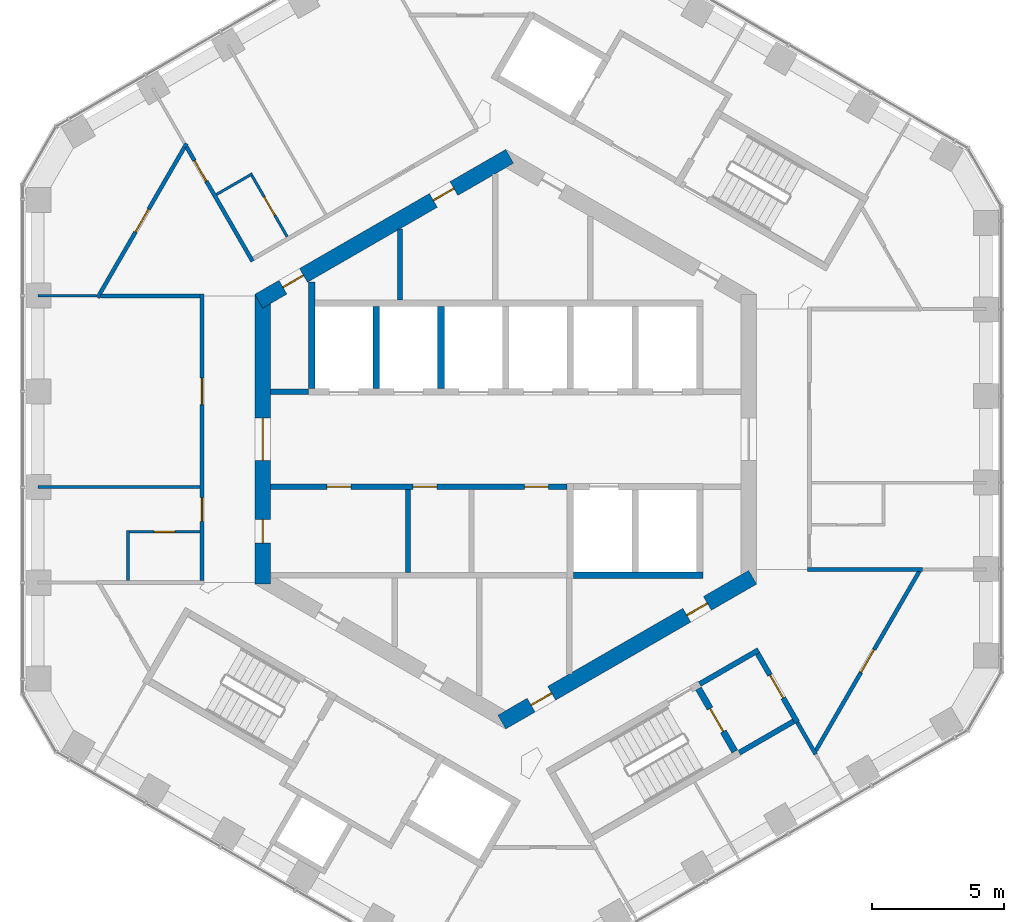
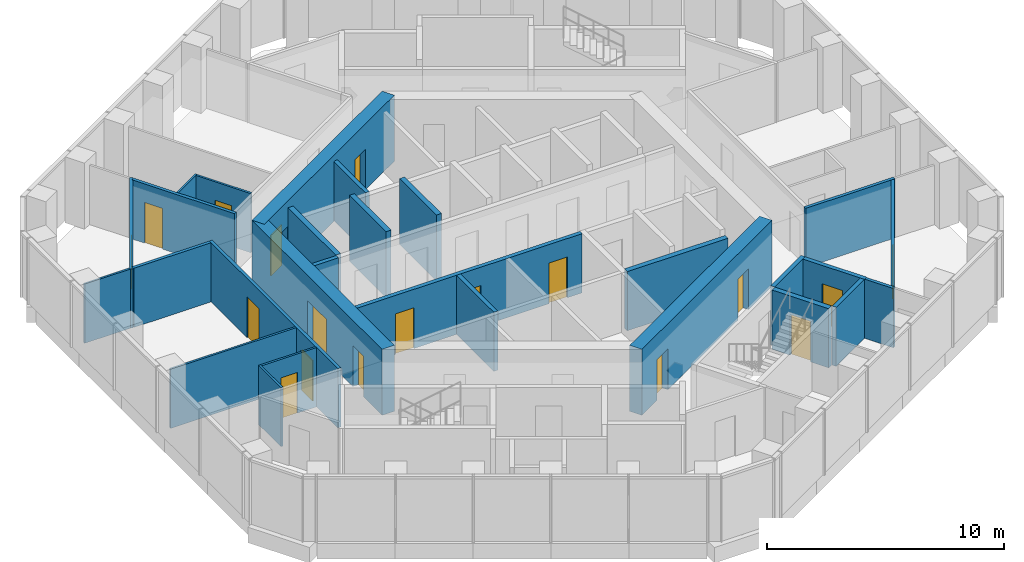
# One storey, part 14 of 18: 28 walls, 18 doors, 18 openings.
"""IFC4 building model written with IfcOpenShell, lengths in metres."""

from ifc_helpers import new_model, si_unit, direction, frame, frame_2d, origin, place, context, subcontext, project, spatial, rectangle, extrude, material, layer, layer_set, type_object, element, fill, save


model = new_model("IFC4")

# Units and contexts
model_context = context("Model", 3, precision=1e-05, world=origin(), true_north=direction((0.0, 1.0)))
body_context = subcontext(model_context, "Body", "Model", "MODEL_VIEW")
ifc_project = project(units=[si_unit("LENGTHUNIT", "METRE"), si_unit("AREAUNIT", "SQUARE_METRE"), si_unit("VOLUMEUNIT", "CUBIC_METRE"), si_unit("PLANEANGLEUNIT", "RADIAN"), si_unit("MASSUNIT", "GRAM", prefix="KILO")], contexts=[model_context])

# Site, building, storey
site_placement = place(None, origin())
site = spatial("IfcSite", under=ifc_project, at=site_placement, CompositionType="ELEMENT")
building_placement = place(site_placement, origin())
building = spatial("IfcBuilding", under=site, at=building_placement, Name="Ayvan Gate Tower", CompositionType="ELEMENT")
storey_placement = place(building_placement, frame((0.0, 0.0, 179.89990234375)))
storey = spatial("IfcBuildingStorey", under=building, at=storey_placement, Name="L48", CompositionType="ELEMENT", Elevation=179.89990234375)

# Wall, openings, doors
ifc_material_1 = material(Name="Concrete C60/75", Category="concrete")
ifc_layer_1 = layer(ifc_material_1, 0.60009765625)
ifc_layer_set_1 = layer_set([ifc_layer_1], Name="Concrete C60/75")
wall_type_1 = type_object("IfcWallType", Name="Core wall 600 C60/75", PredefinedType="SHEAR", material=ifc_layer_set_1)
wall_1_placement = place(storey_placement, frame((0.14990234375, 10.7099609375, 0.0), z_axis=(0.0, 0.0, 1.0), x_axis=(-0.866023993627, -0.500002442456, 0.0)))
wall_1 = element("IfcWall", 1, at=wall_1_placement, inside=storey, type_object=wall_type_1, Name="CORE-L48-2", PredefinedType="SHEAR", context=body_context, shape_type="SweptSolid", body=[
    extrude(rectangle(XDim=10.9697265625, YDim=0.60009765625, at=frame_2d((5.48486328125, 0.0))), origin(), (0.0, 0.0, 1.0), 3.400146484375),
])
opening_1_placement = place(wall_1_placement, frame((9.013427734375, 0.0, 0.0)))
opening_1 = element("IfcOpeningElement", 2, at=opening_1_placement, cuts=wall_1, Name="Opening L48-D42", PredefinedType="OPENING", context=body_context, shape_type="SweptSolid", body=[
    extrude(rectangle(XDim=0.89990234375, YDim=2.10009765625, at=frame_2d((0.449951171875, 1.050048828125))), frame((0.0, 0.31005859375, 0.0), z_axis=(0.0, -1.0, 0.0), x_axis=(1.0, 0.0, 0.0)), (0.0, 0.0, 1.0), 0.6201171875),
])
opening_2_placement = place(wall_1_placement, frame((2.437255859375, 0.0, 0.0)))
opening_2 = element("IfcOpeningElement", 3, at=opening_2_placement, cuts=wall_1, Name="Opening L48-D43", PredefinedType="OPENING", context=body_context, shape_type="SweptSolid", body=[
    extrude(rectangle(XDim=0.89990234375, YDim=2.10009765625, at=frame_2d((0.449951171875, 1.050048828125))), frame((0.0, 0.31005859375, 0.0), z_axis=(0.0, -1.0, 0.0), x_axis=(1.0, 0.0, 0.0)), (0.0, 0.0, 1.0), 0.6201171875),
])
ifc_material_2 = material(Name="Timber door leaf", Category="wood")
door_type_1 = type_object("IfcDoorType", Name="DT-900", OperationType="NOTDEFINED", PredefinedType="DOOR", material=ifc_material_2)
door_1_placement = place(opening_1_placement, origin())
door_1 = element("IfcDoor", 4, at=door_1_placement, inside=storey, type_object=door_type_1, Name="CD-L48-42", OperationType="SINGLE_SWING_RIGHT", OverallHeight=2.10009765625, OverallWidth=0.89990234375, PredefinedType="DOOR", context=body_context, shape_type="SweptSolid", body=[
    extrude(rectangle(XDim=0.89990234375, YDim=2.10009765625, at=frame_2d((0.449951171875, 1.050048828125))), frame((0.0, 0.02490234375, 0.0), z_axis=(0.0, -1.0, 0.0), x_axis=(1.0, 0.0, 0.0)), (0.0, 0.0, 1.0), 0.050048828125),
])
fill(opening_1, door_1)
door_2_placement = place(opening_2_placement, origin())
door_2 = element("IfcDoor", 5, at=door_2_placement, inside=storey, type_object=door_type_1, Name="CD-L48-43", OperationType="SINGLE_SWING_LEFT", OverallHeight=2.10009765625, OverallWidth=0.89990234375, PredefinedType="DOOR", context=body_context, shape_type="SweptSolid", body=[
    extrude(rectangle(XDim=0.89990234375, YDim=2.10009765625, at=frame_2d((0.449951171875, 1.050048828125))), frame((0.0, 0.02490234375, 0.0), z_axis=(0.0, -1.0, 0.0), x_axis=(1.0, 0.0, 0.0)), (0.0, 0.0, 1.0), 0.050048828125),
])
fill(opening_2, door_2)

wall_2_placement = place(storey_placement, frame((-9.199951171875, 5.48486328125, 0.0), z_axis=(0.0, 0.0, 1.0), x_axis=(0.0, -1.0, 0.0)))
wall_2 = element("IfcWall", 6, at=wall_2_placement, inside=storey, type_object=wall_type_1, Name="CORE-L48-3", PredefinedType="SHEAR", context=body_context, shape_type="SweptSolid", body=[
    extrude(rectangle(XDim=10.9697265625, YDim=0.60009765625, at=frame_2d((5.48486328125, 0.0))), origin(), (0.0, 0.0, 1.0), 3.400146484375),
])
opening_3_placement = place(wall_2_placement, frame((8.51611328125, 0.0, 0.0)))
opening_3 = element("IfcOpeningElement", 7, at=opening_3_placement, cuts=wall_2, Name="Opening L48-D50", PredefinedType="OPENING", context=body_context, shape_type="SweptSolid", body=[
    extrude(rectangle(XDim=0.89990234375, YDim=2.10009765625, at=frame_2d((0.449951171875, 1.050048828125))), frame((0.0, 0.31005859375, 0.0), z_axis=(0.0, -1.0, 0.0), x_axis=(1.0, 0.0, 0.0)), (0.0, 0.0, 1.0), 0.6201171875),
])
opening_4_placement = place(wall_2_placement, frame((4.684814453125, 0.0, 0.0)))
opening_4 = element("IfcOpeningElement", 8, at=opening_4_placement, cuts=wall_2, Name="Opening L48-D52", PredefinedType="OPENING", context=body_context, shape_type="SweptSolid", body=[
    extrude(rectangle(XDim=1.60009765625, YDim=2.10009765625, at=frame_2d((0.800048828125, 1.050048828125))), frame((0.0, 0.31005859375, 0.0), z_axis=(0.0, -1.0, 0.0), x_axis=(1.0, 0.0, 0.0)), (0.0, 0.0, 1.0), 0.6201171875),
])
door_type_2 = type_object("IfcDoorType", Name="DT-1600", OperationType="NOTDEFINED", PredefinedType="DOOR", material=ifc_material_2)
door_3_placement = place(opening_4_placement, origin())
door_3 = element("IfcDoor", 9, at=door_3_placement, inside=storey, type_object=door_type_2, Name="CD-L48-52", OperationType="SINGLE_SWING_RIGHT", OverallHeight=2.10009765625, OverallWidth=1.60009765625, PredefinedType="DOOR", context=body_context, shape_type="SweptSolid", body=[
    extrude(rectangle(XDim=1.60009765625, YDim=2.10009765625, at=frame_2d((0.800048828125, 1.050048828125))), frame((0.0, 0.02490234375, 0.0), z_axis=(0.0, -1.0, 0.0), x_axis=(1.0, 0.0, 0.0)), (0.0, 0.0, 1.0), 0.050048828125),
])
fill(opening_4, door_3)
door_4_placement = place(opening_3_placement, origin())
door_4 = element("IfcDoor", 10, at=door_4_placement, inside=storey, type_object=door_type_1, Name="CD-L48-50", OperationType="SINGLE_SWING_RIGHT", OverallHeight=2.10009765625, OverallWidth=0.89990234375, PredefinedType="DOOR", context=body_context, shape_type="SweptSolid", body=[
    extrude(rectangle(XDim=0.89990234375, YDim=2.10009765625, at=frame_2d((0.449951171875, 1.050048828125))), frame((0.0, 0.02490234375, 0.0), z_axis=(0.0, -1.0, 0.0), x_axis=(1.0, 0.0, 0.0)), (0.0, 0.0, 1.0), 0.050048828125),
])
fill(opening_3, door_4)

wall_3_placement = place(storey_placement, frame((-0.14990234375, -10.7099609375, 0.0), z_axis=(0.0, 0.0, 1.0), x_axis=(0.866023993627, 0.500002442456, 0.0)))
wall_3 = element("IfcWall", 11, at=wall_3_placement, inside=storey, type_object=wall_type_1, Name="CORE-L48-5", PredefinedType="SHEAR", context=body_context, shape_type="SweptSolid", body=[
    extrude(rectangle(XDim=10.9697265625, YDim=0.60009765625, at=frame_2d((5.48486328125, 0.0))), origin(), (0.0, 0.0, 1.0), 3.400146484375),
])
opening_5_placement = place(wall_3_placement, frame((1.28271484375, 0.0, 0.0)))
opening_5 = element("IfcOpeningElement", 12, at=opening_5_placement, cuts=wall_3, Name="Opening L48-D48", PredefinedType="OPENING", context=body_context, shape_type="SweptSolid", body=[
    extrude(rectangle(XDim=0.89990234375, YDim=2.10009765625, at=frame_2d((0.449951171875, 1.050048828125))), frame((0.0, 0.31005859375, 0.0), z_axis=(0.0, -1.0, 0.0), x_axis=(1.0, 0.0, 0.0)), (0.0, 0.0, 1.0), 0.6201171875),
])
opening_6_placement = place(wall_3_placement, frame((8.089599609375, 0.0, 0.0)))
opening_6 = element("IfcOpeningElement", 13, at=opening_6_placement, cuts=wall_3, Name="Opening L48-D49", PredefinedType="OPENING", context=body_context, shape_type="SweptSolid", body=[
    extrude(rectangle(XDim=0.89990234375, YDim=2.10009765625, at=frame_2d((0.449951171875, 1.050048828125))), frame((0.0, 0.31005859375, 0.0), z_axis=(0.0, -1.0, 0.0), x_axis=(1.0, 0.0, 0.0)), (0.0, 0.0, 1.0), 0.6201171875),
])
door_5_placement = place(opening_5_placement, origin())
door_5 = element("IfcDoor", 14, at=door_5_placement, inside=storey, type_object=door_type_1, Name="CD-L48-48", OperationType="SINGLE_SWING_RIGHT", OverallHeight=2.10009765625, OverallWidth=0.89990234375, PredefinedType="DOOR", context=body_context, shape_type="SweptSolid", body=[
    extrude(rectangle(XDim=0.89990234375, YDim=2.10009765625, at=frame_2d((0.449951171875, 1.050048828125))), frame((0.0, 0.02490234375, 0.0), z_axis=(0.0, -1.0, 0.0), x_axis=(1.0, 0.0, 0.0)), (0.0, 0.0, 1.0), 0.050048828125),
])
fill(opening_5, door_5)
door_6_placement = place(opening_6_placement, origin())
door_6 = element("IfcDoor", 15, at=door_6_placement, inside=storey, type_object=door_type_1, Name="CD-L48-49", OperationType="SINGLE_SWING_LEFT", OverallHeight=2.10009765625, OverallWidth=0.89990234375, PredefinedType="DOOR", context=body_context, shape_type="SweptSolid", body=[
    extrude(rectangle(XDim=0.89990234375, YDim=2.10009765625, at=frame_2d((0.449951171875, 1.050048828125))), frame((0.0, 0.02490234375, 0.0), z_axis=(0.0, -1.0, 0.0), x_axis=(1.0, 0.0, 0.0)), (0.0, 0.0, 1.0), 0.050048828125),
])
fill(opening_6, door_6)

# Wall, opening, door
ifc_material_3 = material(Name="Plasterboard on steel stud", Category="steel")
ifc_layer_2 = layer(ifc_material_3, 0.14990234375)
ifc_layer_set_2 = layer_set([ifc_layer_2], Name="Plasterboard on steel stud")
wall_type_2 = type_object("IfcWallType", Name="WT-CORR-150", PredefinedType="PARTITIONING", material=ifc_layer_set_2)
wall_4_placement = place(storey_placement, frame((-15.451904296875, 5.3603515625, 0.0), z_axis=(0.0, 0.0, 1.0), x_axis=(0.500013134444, 0.866017820477, 0.0)))
wall_4 = element("IfcWall", 16, at=wall_4_placement, inside=storey, type_object=wall_type_2, Name="IW-L48-001", PredefinedType="PARTITIONING", context=body_context, shape_type="SweptSolid", body=[
    extrude(rectangle(XDim=6.737060546875, YDim=0.14990234375, at=frame_2d((3.36865234375, 0.0))), origin(), (0.0, 0.0, 1.0), 3.050048828125),
])
opening_7_placement = place(wall_4_placement, frame((2.86865234375, 0.0, 0.0)))
opening_7 = element("IfcOpeningElement", 17, at=opening_7_placement, cuts=wall_4, Name="Opening L48-D28", PredefinedType="OPENING", context=body_context, shape_type="SweptSolid", body=[
    extrude(rectangle(XDim=1.0, YDim=2.10009765625, at=frame_2d((0.5, 1.050048828125))), frame((0.0, 0.0849609375, 0.0), z_axis=(0.0, -1.0, 0.0), x_axis=(1.0, 0.0, 0.0)), (0.0, 0.0, 1.0), 0.169921875),
])
door_type_3 = type_object("IfcDoorType", Name="DT-1000", OperationType="NOTDEFINED", PredefinedType="DOOR", material=ifc_material_2)
door_7_placement = place(opening_7_placement, origin())
door_7 = element("IfcDoor", 18, at=door_7_placement, inside=storey, type_object=door_type_3, Name="ID-L48-028", OperationType="SINGLE_SWING_RIGHT", OverallHeight=2.10009765625, OverallWidth=1.0, PredefinedType="DOOR", context=body_context, shape_type="SweptSolid", body=[
    extrude(rectangle(XDim=1.0, YDim=2.10009765625, at=frame_2d((0.5, 1.050048828125))), frame((0.0, 0.02490234375, 0.0), z_axis=(0.0, -1.0, 0.0), x_axis=(1.0, 0.0, 0.0)), (0.0, 0.0, 1.0), 0.050048828125),
])
fill(opening_7, door_7)

wall_5_placement = place(storey_placement, frame((-12.083251953125, 11.06494140625, 0.0), z_axis=(0.0, 0.0, 1.0), x_axis=(0.500031047477, -0.866007477773, 0.0)))
wall_5 = element("IfcWall", 19, at=wall_5_placement, inside=storey, type_object=wall_type_2, Name="IW-L48-009", PredefinedType="PARTITIONING", context=body_context, shape_type="SweptSolid", body=[
    extrude(rectangle(XDim=4.999267578125, YDim=0.14990234375, at=frame_2d((2.49951171875, 0.0))), origin(), (0.0, 0.0, 1.0), 3.050048828125),
])
opening_8_placement = place(wall_5_placement, frame((0.59716796875, 0.0, 0.0)))
opening_8 = element("IfcOpeningElement", 20, at=opening_8_placement, cuts=wall_5, Name="Opening L48-D40", PredefinedType="OPENING", context=body_context, shape_type="SweptSolid", body=[
    extrude(rectangle(XDim=0.89990234375, YDim=2.10009765625, at=frame_2d((0.449951171875, 1.050048828125))), frame((0.0, 0.0849609375, 0.0), z_axis=(0.0, -1.0, 0.0), x_axis=(1.0, 0.0, 0.0)), (0.0, 0.0, 1.0), 0.169921875),
])
door_8_placement = place(opening_8_placement, origin())
door_8 = element("IfcDoor", 21, at=door_8_placement, inside=storey, type_object=door_type_1, Name="ID-L48-040", OperationType="SINGLE_SWING_RIGHT", OverallHeight=2.10009765625, OverallWidth=0.89990234375, PredefinedType="DOOR", context=body_context, shape_type="SweptSolid", body=[
    extrude(rectangle(XDim=0.89990234375, YDim=2.10009765625, at=frame_2d((0.449951171875, 1.050048828125))), frame((0.0, 0.02490234375, 0.0), z_axis=(0.0, -1.0, 0.0), x_axis=(1.0, 0.0, 0.0)), (0.0, 0.0, 1.0), 0.050048828125),
])
fill(opening_8, door_8)

# Wall, openings, doors
wall_6_placement = place(storey_placement, frame((-11.5, -5.35009765625, 0.0), z_axis=(0.0, 0.0, 1.0), x_axis=(0.0, 1.0, 0.0)))
wall_6 = element("IfcWall", 22, at=wall_6_placement, inside=storey, type_object=wall_type_2, Name="IW-L48-011", PredefinedType="PARTITIONING", context=body_context, shape_type="SweptSolid", body=[
    extrude(rectangle(XDim=10.850341796875, YDim=0.14990234375, at=frame_2d((5.42529296875, 0.0))), origin(), (0.0, 0.0, 1.0), 3.050048828125),
])
opening_9_placement = place(wall_6_placement, frame((6.65869140625, 0.0, 0.0)))
opening_9 = element("IfcOpeningElement", 23, at=opening_9_placement, cuts=wall_6, Name="Opening L48-D29", PredefinedType="OPENING", context=body_context, shape_type="SweptSolid", body=[
    extrude(rectangle(XDim=1.0, YDim=2.10009765625, at=frame_2d((0.5, 1.050048828125))), frame((0.0, 0.0849609375, 0.0), z_axis=(0.0, -1.0, 0.0), x_axis=(1.0, 0.0, 0.0)), (0.0, 0.0, 1.0), 0.169921875),
])
opening_10_placement = place(wall_6_placement, frame((2.24169921875, 0.0, 0.0)))
opening_10 = element("IfcOpeningElement", 24, at=opening_10_placement, cuts=wall_6, Name="Opening L48-D30", PredefinedType="OPENING", context=body_context, shape_type="SweptSolid", body=[
    extrude(rectangle(XDim=0.89990234375, YDim=2.10009765625, at=frame_2d((0.449951171875, 1.050048828125))), frame((0.0, 0.0849609375, 0.0), z_axis=(0.0, -1.0, 0.0), x_axis=(1.0, 0.0, 0.0)), (0.0, 0.0, 1.0), 0.169921875),
])
door_9_placement = place(opening_9_placement, origin())
door_9 = element("IfcDoor", 25, at=door_9_placement, inside=storey, type_object=door_type_3, Name="ID-L48-029", OperationType="SINGLE_SWING_LEFT", OverallHeight=2.10009765625, OverallWidth=1.0, PredefinedType="DOOR", context=body_context, shape_type="SweptSolid", body=[
    extrude(rectangle(XDim=1.0, YDim=2.10009765625, at=frame_2d((0.5, 1.050048828125))), frame((0.0, 0.02490234375, 0.0), z_axis=(0.0, -1.0, 0.0), x_axis=(1.0, 0.0, 0.0)), (0.0, 0.0, 1.0), 0.050048828125),
])
fill(opening_9, door_9)
door_10_placement = place(opening_10_placement, origin())
door_10 = element("IfcDoor", 26, at=door_10_placement, inside=storey, type_object=door_type_1, Name="ID-L48-030", OperationType="SINGLE_SWING_RIGHT", OverallHeight=2.10009765625, OverallWidth=0.89990234375, PredefinedType="DOOR", context=body_context, shape_type="SweptSolid", body=[
    extrude(rectangle(XDim=0.89990234375, YDim=2.10009765625, at=frame_2d((0.449951171875, 1.050048828125))), frame((0.0, 0.02490234375, 0.0), z_axis=(0.0, -1.0, 0.0), x_axis=(1.0, 0.0, 0.0)), (0.0, 0.0, 1.0), 0.050048828125),
])
fill(opening_10, door_10)

# Walls
wall_7_placement = place(storey_placement, frame((-11.574951171875, 5.42529296875, 0.0), z_axis=(0.0, 0.0, 1.0), x_axis=(-1.0, 0.0, 0.0)))
element("IfcWall", 27, at=wall_7_placement, inside=storey, type_object=wall_type_2, Name="IW-L48-014", PredefinedType="PARTITIONING", context=body_context, shape_type="SweptSolid", body=[
    extrude(rectangle(XDim=3.764404296875, YDim=0.14990234375, at=frame_2d((1.88232421875, 0.0))), origin(), (0.0, 0.0, 1.0), 3.050048828125),
])
wall_8_placement = place(storey_placement, frame((11.4248046875, -4.931884765625, 0.0), z_axis=(0.0, 0.0, 1.0), x_axis=(1.0, 0.0, 0.0)))
element("IfcWall", 28, at=wall_8_placement, inside=storey, type_object=wall_type_2, Name="IW-L48-087", PredefinedType="PARTITIONING", context=body_context, shape_type="SweptSolid", body=[
    extrude(rectangle(XDim=4.349365234375, YDim=0.14990234375, at=frame_2d((2.1748046875, 0.0))), origin(), (0.0, 0.0, 1.0), 3.050048828125),
])
wall_9_placement = place(storey_placement, frame((11.735595703125, -11.9267578125, 0.0), z_axis=(0.0, 0.0, 1.0), x_axis=(-0.499898978922, 0.866083720475, 0.0)))
element("IfcWall", 29, at=wall_9_placement, inside=storey, type_object=wall_type_2, Name="IW-L48-091", PredefinedType="PARTITIONING", context=body_context, shape_type="SweptSolid", body=[
    extrude(rectangle(XDim=1.396728515625, YDim=0.14990234375, at=frame_2d((0.6982421875, 0.0))), origin(), (0.0, 0.0, 1.0), 3.050048828125),
])

# Wall, opening, door
wall_10_placement = place(storey_placement, frame((15.66162109375, -4.996826171875, 0.0), z_axis=(0.0, 0.0, 1.0), x_axis=(-0.500001468015, -0.866024556224, 0.0)))
wall_10 = element("IfcWall", 30, at=wall_10_placement, inside=storey, type_object=wall_type_2, Name="IW-L48-100", PredefinedType="PARTITIONING", context=body_context, shape_type="SweptSolid", body=[
    extrude(rectangle(XDim=7.85205078125, YDim=0.14990234375, at=frame_2d((3.926025390625, 0.0))), origin(), (0.0, 0.0, 1.0), 3.050048828125),
])
opening_11_placement = place(wall_10_placement, frame((3.426025390625, 0.0, 0.0)))
opening_11 = element("IfcOpeningElement", 31, at=opening_11_placement, cuts=wall_10, Name="Opening L48-D37", PredefinedType="OPENING", context=body_context, shape_type="SweptSolid", body=[
    extrude(rectangle(XDim=1.0, YDim=2.10009765625, at=frame_2d((0.5, 1.050048828125))), frame((0.0, 0.0849609375, 0.0), z_axis=(0.0, -1.0, 0.0), x_axis=(1.0, 0.0, 0.0)), (0.0, 0.0, 1.0), 0.169921875),
])
door_11_placement = place(opening_11_placement, origin())
door_11 = element("IfcDoor", 32, at=door_11_placement, inside=storey, type_object=door_type_3, Name="ID-L48-037", OperationType="SINGLE_SWING_LEFT", OverallHeight=2.10009765625, OverallWidth=1.0, PredefinedType="DOOR", context=body_context, shape_type="SweptSolid", body=[
    extrude(rectangle(XDim=1.0, YDim=2.10009765625, at=frame_2d((0.5, 1.050048828125))), frame((0.0, 0.02490234375, 0.0), z_axis=(0.0, -1.0, 0.0), x_axis=(1.0, 0.0, 0.0)), (0.0, 0.0, 1.0), 0.050048828125),
])
fill(opening_11, door_11)

# Walls
ifc_layer_3 = layer(ifc_material_3, 0.10009765625)
ifc_layer_set_3 = layer_set([ifc_layer_3], Name="Plasterboard on steel stud")
wall_type_3 = type_object("IfcWallType", Name="WT-PART-100", PredefinedType="PARTITIONING", material=ifc_layer_set_3)
wall_11_placement = place(storey_placement, frame((-15.4892578125, 5.42529296875, 0.0), z_axis=(0.0, 0.0, 1.0), x_axis=(-1.0, 0.0, 0.0)))
element("IfcWall", 33, at=wall_11_placement, inside=storey, type_object=wall_type_3, Name="IW-L48-000", PredefinedType="PARTITIONING", context=body_context, shape_type="SweptSolid", body=[
    extrude(rectangle(XDim=2.22265625, YDim=0.10009765625, at=frame_2d((1.111328125, 0.0))), origin(), (0.0, 0.0, 1.0), 3.050048828125),
])
wall_12_placement = place(storey_placement, frame((-14.300048828125, -3.45849609375, 0.0), z_axis=(0.0, 0.0, 1.0), x_axis=(0.0, -1.0, 0.0)))
element("IfcWall", 34, at=wall_12_placement, inside=storey, type_object=wall_type_3, Name="IW-L48-004", PredefinedType="PARTITIONING", context=body_context, shape_type="SweptSolid", body=[
    extrude(rectangle(XDim=1.8916015625, YDim=0.10009765625, at=frame_2d((0.94580078125, 0.0))), origin(), (0.0, 0.0, 1.0), 3.050048828125),
])

# Wall, opening, door
wall_13_placement = place(storey_placement, frame((-11.574951171875, -3.50830078125, 0.0), z_axis=(0.0, 0.0, 1.0), x_axis=(-1.0, 0.0, 0.0)))
wall_13 = element("IfcWall", 35, at=wall_13_placement, inside=storey, type_object=wall_type_3, Name="IW-L48-012", PredefinedType="PARTITIONING", context=body_context, shape_type="SweptSolid", body=[
    extrude(rectangle(XDim=2.675048828125, YDim=0.10009765625, at=frame_2d((1.33740234375, 0.0))), origin(), (0.0, 0.0, 1.0), 3.050048828125),
])
opening_12_placement = place(wall_13_placement, frame((0.9375, 0.0, 0.0)))
opening_12 = element("IfcOpeningElement", 36, at=opening_12_placement, cuts=wall_13, Name="Opening L48-D31", PredefinedType="OPENING", context=body_context, shape_type="SweptSolid", body=[
    extrude(rectangle(XDim=0.800048828125, YDim=2.10009765625, at=frame_2d((0.39990234375, 1.050048828125))), frame((0.0, 0.06005859375, 0.0), z_axis=(0.0, -1.0, 0.0), x_axis=(1.0, 0.0, 0.0)), (0.0, 0.0, 1.0), 0.1201171875),
])
door_type_4 = type_object("IfcDoorType", Name="DT-800", OperationType="NOTDEFINED", PredefinedType="DOOR", material=ifc_material_2)
door_12_placement = place(opening_12_placement, origin())
door_12 = element("IfcDoor", 37, at=door_12_placement, inside=storey, type_object=door_type_4, Name="ID-L48-031", OperationType="SINGLE_SWING_LEFT", OverallHeight=2.10009765625, OverallWidth=0.800048828125, PredefinedType="DOOR", context=body_context, shape_type="SweptSolid", body=[
    extrude(rectangle(XDim=0.800048828125, YDim=2.10009765625, at=frame_2d((0.39990234375, 1.050048828125))), frame((0.0, 0.02490234375, 0.0), z_axis=(0.0, -1.0, 0.0), x_axis=(1.0, 0.0, 0.0)), (0.0, 0.0, 1.0), 0.050048828125),
])
fill(opening_12, door_12)

# Walls
wall_14_placement = place(storey_placement, frame((-11.574951171875, -1.808349609375, 0.0), z_axis=(0.0, 0.0, 1.0), x_axis=(-1.0, 0.0, 0.0)))
element("IfcWall", 38, at=wall_14_placement, inside=storey, type_object=wall_type_3, Name="IW-L48-013", PredefinedType="PARTITIONING", context=body_context, shape_type="SweptSolid", body=[
    extrude(rectangle(XDim=6.136962890625, YDim=0.10009765625, at=frame_2d((3.068359375, 0.0))), origin(), (0.0, 0.0, 1.0), 3.050048828125),
])
wall_15_placement = place(storey_placement, frame((-9.59228515625, 10.05029296875, 0.0), z_axis=(0.0, 0.0, 1.0), x_axis=(-0.866030680601, -0.499990860175, 0.0)))
element("IfcWall", 39, at=wall_15_placement, inside=storey, type_object=wall_type_3, Name="IW-L48-015", PredefinedType="PARTITIONING", context=body_context, shape_type="SweptSolid", body=[
    extrude(rectangle(XDim=1.57470703125, YDim=0.10009765625, at=frame_2d((0.787353515625, 0.0))), origin(), (0.0, 0.0, 1.0), 3.050048828125),
])

# Wall, opening, door
wall_16_placement = place(storey_placement, frame((-8.27294921875, 7.66552734375, 0.0), z_axis=(0.0, 0.0, 1.0), x_axis=(-0.50003581814, 0.866004723184, 0.0)))
wall_16 = element("IfcWall", 40, at=wall_16_placement, inside=storey, type_object=wall_type_3, Name="IW-L48-021", PredefinedType="PARTITIONING", context=body_context, shape_type="SweptSolid", body=[
    extrude(rectangle(XDim=2.675048828125, YDim=0.10009765625, at=frame_2d((1.33740234375, 0.0))), origin(), (0.0, 0.0, 1.0), 3.050048828125),
])
opening_13_placement = place(wall_16_placement, frame((0.9375, 0.0, 0.0)))
opening_13 = element("IfcOpeningElement", 41, at=opening_13_placement, cuts=wall_16, Name="Opening L48-D41", PredefinedType="OPENING", context=body_context, shape_type="SweptSolid", body=[
    extrude(rectangle(XDim=0.800048828125, YDim=2.10009765625, at=frame_2d((0.39990234375, 1.050048828125))), frame((0.0, 0.06005859375, 0.0), z_axis=(0.0, -1.0, 0.0), x_axis=(1.0, 0.0, 0.0)), (0.0, 0.0, 1.0), 0.1201171875),
])
door_13_placement = place(opening_13_placement, origin())
door_13 = element("IfcDoor", 42, at=door_13_placement, inside=storey, type_object=door_type_4, Name="ID-L48-041", OperationType="SINGLE_SWING_LEFT", OverallHeight=2.10009765625, OverallWidth=0.800048828125, PredefinedType="DOOR", context=body_context, shape_type="SweptSolid", body=[
    extrude(rectangle(XDim=0.800048828125, YDim=2.10009765625, at=frame_2d((0.39990234375, 1.050048828125))), frame((0.0, 0.02490234375, 0.0), z_axis=(0.0, -1.0, 0.0), x_axis=(1.0, 0.0, 0.0)), (0.0, 0.0, 1.0), 0.050048828125),
])
fill(opening_13, door_13)

# Walls
ifc_layer_4 = layer(ifc_material_3, 0.199951171875)
ifc_layer_set_4 = layer_set([ifc_layer_4], Name="Plasterboard on steel stud")
wall_type_4 = type_object("IfcWallType", Name="WT-RATED-200", PredefinedType="PARTITIONING", material=ifc_layer_set_4)
wall_17_placement = place(storey_placement, frame((-8.89990234375, 1.800048828125, 0.0), z_axis=(0.0, 0.0, 1.0), x_axis=(1.0, 0.0, 0.0)))
element("IfcWall", 43, at=wall_17_placement, inside=storey, type_object=wall_type_4, Name="IW-L48-017", PredefinedType="PARTITIONING", context=body_context, shape_type="SweptSolid", body=[
    extrude(rectangle(XDim=1.425048828125, YDim=0.199951171875, at=frame_2d((0.71240234375, 0.0))), origin(), (0.0, 0.0, 1.0), 3.050048828125),
])
wall_18_placement = place(storey_placement, frame((-4.0, 7.96728515625, 0.0), z_axis=(0.0, 0.0, 1.0), x_axis=(0.0, -1.0, 0.0)))
element("IfcWall", 44, at=wall_18_placement, inside=storey, type_object=wall_type_4, Name="IW-L48-035", PredefinedType="PARTITIONING", context=body_context, shape_type="SweptSolid", body=[
    extrude(rectangle(XDim=2.6923828125, YDim=0.199951171875, at=frame_2d((1.34619140625, 0.0))), origin(), (0.0, 0.0, 1.0), 3.050048828125),
])
wall_19_placement = place(storey_placement, frame((-3.699951171875, -1.89990234375, 0.0), z_axis=(0.0, 0.0, 1.0), x_axis=(0.0, -1.0, 0.0)))
element("IfcWall", 45, at=wall_19_placement, inside=storey, type_object=wall_type_4, Name="IW-L48-037", PredefinedType="PARTITIONING", context=body_context, shape_type="SweptSolid", body=[
    extrude(rectangle(XDim=3.150146484375, YDim=0.199951171875, at=frame_2d((1.5751953125, 0.0))), origin(), (0.0, 0.0, 1.0), 3.050048828125),
])

# Wall, openings, doors
wall_20_placement = place(storey_placement, frame((-8.89990234375, -1.800048828125, 0.0), z_axis=(0.0, 0.0, 1.0), x_axis=(1.0, 0.0, 0.0)))
wall_20 = element("IfcWall", 46, at=wall_20_placement, inside=storey, type_object=wall_type_4, Name="IW-L48-038", PredefinedType="PARTITIONING", context=body_context, shape_type="SweptSolid", body=[
    extrude(rectangle(XDim=11.22509765625, YDim=0.199951171875, at=frame_2d((5.612548828125, 0.0))), origin(), (0.0, 0.0, 1.0), 3.050048828125),
])
opening_14_placement = place(wall_20_placement, frame((2.135009765625, 0.0, 0.0)))
opening_14 = element("IfcOpeningElement", 47, at=opening_14_placement, cuts=wall_20, Name="Opening L48-D08", PredefinedType="OPENING", context=body_context, shape_type="SweptSolid", body=[
    extrude(rectangle(XDim=0.89990234375, YDim=2.10009765625, at=frame_2d((0.449951171875, 1.050048828125))), frame((0.0, 0.10986328125, 0.0), z_axis=(0.0, -1.0, 0.0), x_axis=(1.0, 0.0, 0.0)), (0.0, 0.0, 1.0), 0.219970703125),
])
opening_15_placement = place(wall_20_placement, frame((5.389892578125, 0.0, 0.0)))
opening_15 = element("IfcOpeningElement", 48, at=opening_15_placement, cuts=wall_20, Name="Opening L48-D09", PredefinedType="OPENING", context=body_context, shape_type="SweptSolid", body=[
    extrude(rectangle(XDim=0.89990234375, YDim=2.10009765625, at=frame_2d((0.449951171875, 1.050048828125))), frame((0.0, 0.10986328125, 0.0), z_axis=(0.0, -1.0, 0.0), x_axis=(1.0, 0.0, 0.0)), (0.0, 0.0, 1.0), 0.219970703125),
])
opening_16_placement = place(wall_20_placement, frame((9.612548828125, 0.0, 0.0)))
opening_16 = element("IfcOpeningElement", 49, at=opening_16_placement, cuts=wall_20, Name="Opening L48-D10", PredefinedType="OPENING", context=body_context, shape_type="SweptSolid", body=[
    extrude(rectangle(XDim=0.89990234375, YDim=2.10009765625, at=frame_2d((0.449951171875, 1.050048828125))), frame((0.0, 0.10986328125, 0.0), z_axis=(0.0, -1.0, 0.0), x_axis=(1.0, 0.0, 0.0)), (0.0, 0.0, 1.0), 0.219970703125),
])
door_14_placement = place(opening_14_placement, origin())
door_14 = element("IfcDoor", 50, at=door_14_placement, inside=storey, type_object=door_type_1, Name="ID-L48-008", OperationType="SINGLE_SWING_RIGHT", OverallHeight=2.10009765625, OverallWidth=0.89990234375, PredefinedType="DOOR", context=body_context, shape_type="SweptSolid", body=[
    extrude(rectangle(XDim=0.89990234375, YDim=2.10009765625, at=frame_2d((0.449951171875, 1.050048828125))), frame((0.0, 0.02490234375, 0.0), z_axis=(0.0, -1.0, 0.0), x_axis=(1.0, 0.0, 0.0)), (0.0, 0.0, 1.0), 0.050048828125),
])
fill(opening_14, door_14)
door_15_placement = place(opening_15_placement, origin())
door_15 = element("IfcDoor", 51, at=door_15_placement, inside=storey, type_object=door_type_1, Name="ID-L48-009", OperationType="SINGLE_SWING_LEFT", OverallHeight=2.10009765625, OverallWidth=0.89990234375, PredefinedType="DOOR", context=body_context, shape_type="SweptSolid", body=[
    extrude(rectangle(XDim=0.89990234375, YDim=2.10009765625, at=frame_2d((0.449951171875, 1.050048828125))), frame((0.0, 0.02490234375, 0.0), z_axis=(0.0, -1.0, 0.0), x_axis=(1.0, 0.0, 0.0)), (0.0, 0.0, 1.0), 0.050048828125),
])
fill(opening_15, door_15)
door_16_placement = place(opening_16_placement, origin())
door_16 = element("IfcDoor", 52, at=door_16_placement, inside=storey, type_object=door_type_1, Name="ID-L48-010", OperationType="SINGLE_SWING_RIGHT", OverallHeight=2.10009765625, OverallWidth=0.89990234375, PredefinedType="DOOR", context=body_context, shape_type="SweptSolid", body=[
    extrude(rectangle(XDim=0.89990234375, YDim=2.10009765625, at=frame_2d((0.449951171875, 1.050048828125))), frame((0.0, 0.02490234375, 0.0), z_axis=(0.0, -1.0, 0.0), x_axis=(1.0, 0.0, 0.0)), (0.0, 0.0, 1.0), 0.050048828125),
])
fill(opening_16, door_16)

# Wall
wall_21_placement = place(storey_placement, frame((7.343994140625, -9.27001953125, 0.0), z_axis=(0.0, 0.0, 1.0), x_axis=(0.866005588531, 0.500034319456, 0.0)))
element("IfcWall", 53, at=wall_21_placement, inside=storey, type_object=wall_type_4, Name="IW-L48-077", PredefinedType="PARTITIONING", context=body_context, shape_type="SweptSolid", body=[
    extrude(rectangle(XDim=2.574951171875, YDim=0.199951171875, at=frame_2d((1.28759765625, 0.0))), origin(), (0.0, 0.0, 1.0), 3.050048828125),
])

# Wall, opening, door
wall_22_placement = place(storey_placement, frame((9.537353515625, -8.119140625, 0.0), z_axis=(0.0, 0.0, 1.0), x_axis=(0.499990139034, -0.866031096941, 0.0)))
wall_22 = element("IfcWall", 54, at=wall_22_placement, inside=storey, type_object=wall_type_4, Name="IW-L48-085", PredefinedType="PARTITIONING", context=body_context, shape_type="SweptSolid", body=[
    extrude(rectangle(XDim=3.0, YDim=0.199951171875, at=frame_2d((1.5, 0.0))), origin(), (0.0, 0.0, 1.0), 3.050048828125),
])
opening_17_placement = place(wall_22_placement, frame((0.93505859375, 0.0, 0.0)))
opening_17 = element("IfcOpeningElement", 55, at=opening_17_placement, cuts=wall_22, Name="Opening L48-D20", PredefinedType="OPENING", context=body_context, shape_type="SweptSolid", body=[
    extrude(rectangle(XDim=1.0, YDim=2.10009765625, at=frame_2d((0.5, 1.050048828125))), frame((0.0, 0.10986328125, 0.0), z_axis=(0.0, -1.0, 0.0), x_axis=(1.0, 0.0, 0.0)), (0.0, 0.0, 1.0), 0.219970703125),
])
door_17_placement = place(opening_17_placement, origin())
door_17 = element("IfcDoor", 56, at=door_17_placement, inside=storey, type_object=door_type_3, Name="ID-L48-020", OperationType="SINGLE_SWING_RIGHT", OverallHeight=2.10009765625, OverallWidth=1.0, PredefinedType="DOOR", context=body_context, shape_type="SweptSolid", body=[
    extrude(rectangle(XDim=1.0, YDim=2.10009765625, at=frame_2d((0.5, 1.050048828125))), frame((0.0, 0.02490234375, 0.0), z_axis=(0.0, -1.0, 0.0), x_axis=(1.0, 0.0, 0.0)), (0.0, 0.0, 1.0), 0.050048828125),
])
fill(opening_17, door_17)

# Walls
wall_23_placement = place(storey_placement, frame((10.900634765625, -10.6806640625, 0.0), z_axis=(0.0, 0.0, 1.0), x_axis=(-0.866007538022, -0.500030943131, 0.0)))
element("IfcWall", 57, at=wall_23_placement, inside=storey, type_object=wall_type_4, Name="IW-L48-086", PredefinedType="PARTITIONING", context=body_context, shape_type="SweptSolid", body=[
    extrude(rectangle(XDim=2.374755859375, YDim=0.199951171875, at=frame_2d((1.1875, 0.0))), origin(), (0.0, 0.0, 1.0), 3.050048828125),
])
ifc_material_4 = material(Name="Concrete C50/60", Category="concrete")
ifc_layer_5 = layer(ifc_material_4, 0.25)
ifc_layer_set_5 = layer_set([ifc_layer_5], Name="Concrete C50/60")
wall_type_5 = type_object("IfcWallType", Name="WT-RC-250", PredefinedType="SHEAR", material=ifc_layer_set_5)
wall_24_placement = place(storey_placement, frame((-7.35009765625, 1.925048828125, 0.0), z_axis=(0.0, 0.0, 1.0), x_axis=(0.0, 1.0, 0.0)))
element("IfcWall", 58, at=wall_24_placement, inside=storey, type_object=wall_type_5, Name="IW-L48-026", PredefinedType="SHEAR", context=body_context, shape_type="SweptSolid", body=[
    extrude(rectangle(XDim=4.0361328125, YDim=0.25, at=frame_2d((2.01806640625, 0.0))), origin(), (0.0, 0.0, 1.0), 3.050048828125),
])
for number, where, z_axis, x_axis, name in (
    (59, (-4.89990234375, 5.02490234375, 0.0), (0.0, 0.0, 1.0), (0.0, -1.0, 0.0), "IW-L48-033"),
    (60, (-2.449951171875, 5.02490234375, 0.0), (0.0, 0.0, 1.0), (0.0, -1.0, 0.0), "IW-L48-044"),
):
    element("IfcWall", number, at=place(storey_placement, frame(where, z_axis=z_axis, x_axis=x_axis)), inside=storey, type_object=wall_type_5, Name=name, PredefinedType="SHEAR", context=body_context, shape_type="SweptSolid", body=[
        extrude(rectangle(XDim=3.099853515625, YDim=0.25, at=frame_2d((1.5498046875, 0.0))), origin(), (0.0, 0.0, 1.0), 3.400146484375),
    ])
wall_25_placement = place(storey_placement, frame((2.574951171875, -5.14990234375, 0.0), z_axis=(0.0, 0.0, 1.0), x_axis=(1.0, 0.0, 0.0)))
element("IfcWall", 61, at=wall_25_placement, inside=storey, type_object=wall_type_5, Name="IW-L48-068", PredefinedType="SHEAR", context=body_context, shape_type="SweptSolid", body=[
    extrude(rectangle(XDim=4.900146484375, YDim=0.25, at=frame_2d((2.4501953125, 0.0))), origin(), (0.0, 0.0, 1.0), 3.050048828125),
])

# Wall, opening, door
wall_26_placement = place(storey_placement, frame((7.298095703125, -9.44091796875, 0.0), z_axis=(0.0, 0.0, 1.0), x_axis=(0.500034990121, -0.866005201286, 0.0)))
wall_26 = element("IfcWall", 62, at=wall_26_placement, inside=storey, type_object=wall_type_5, Name="IW-L48-076", PredefinedType="SHEAR", context=body_context, shape_type="SweptSolid", body=[
    extrude(rectangle(XDim=2.749755859375, YDim=0.25, at=frame_2d((1.375, 0.0))), origin(), (0.0, 0.0, 1.0), 3.050048828125),
])
opening_18_placement = place(wall_26_placement, frame((0.875, 0.0, 0.0)))
opening_18 = element("IfcOpeningElement", 63, at=opening_18_placement, cuts=wall_26, Name="Opening L48-D21", PredefinedType="OPENING", context=body_context, shape_type="SweptSolid", body=[
    extrude(rectangle(XDim=1.0, YDim=2.10009765625, at=frame_2d((0.5, 1.050048828125))), frame((0.0, 0.135009765625, 0.0), z_axis=(0.0, -1.0, 0.0), x_axis=(1.0, 0.0, 0.0)), (0.0, 0.0, 1.0), 0.27001953125),
])
door_18_placement = place(opening_18_placement, origin())
door_18 = element("IfcDoor", 64, at=door_18_placement, inside=storey, type_object=door_type_3, Name="ID-L48-021", OperationType="SINGLE_SWING_LEFT", OverallHeight=2.10009765625, OverallWidth=1.0, PredefinedType="DOOR", context=body_context, shape_type="SweptSolid", body=[
    extrude(rectangle(XDim=1.0, YDim=2.10009765625, at=frame_2d((0.5, 1.050048828125))), frame((0.0, 0.02490234375, 0.0), z_axis=(0.0, -1.0, 0.0), x_axis=(1.0, 0.0, 0.0)), (0.0, 0.0, 1.0), 0.050048828125),
])
fill(opening_18, door_18)

save(model, "model.ifc")
